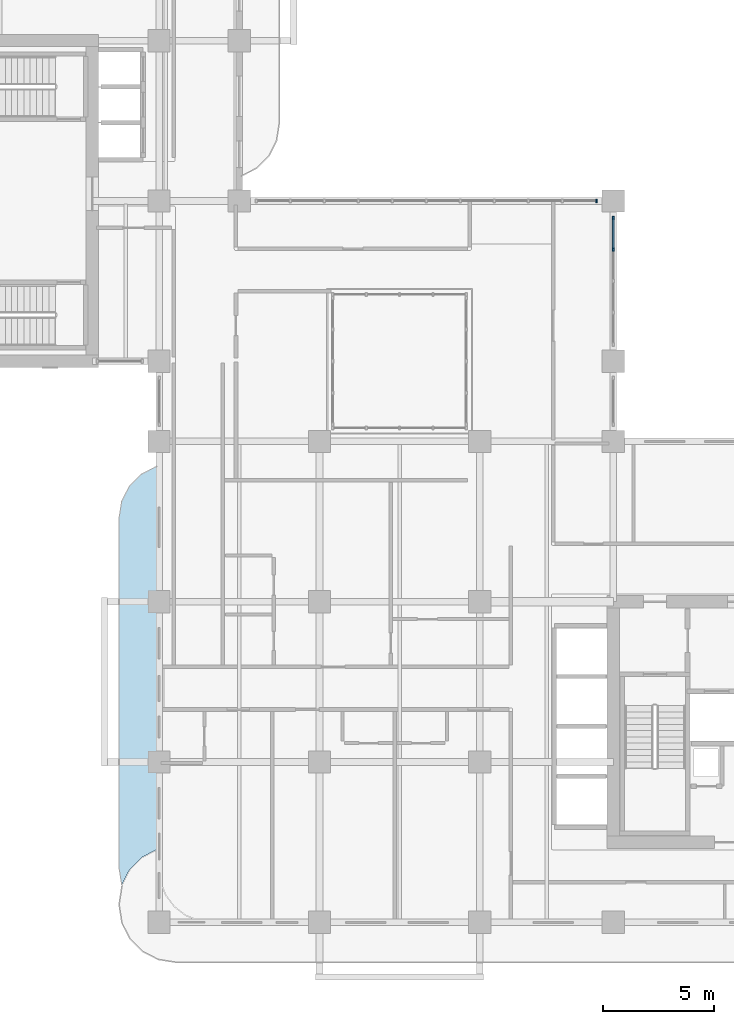
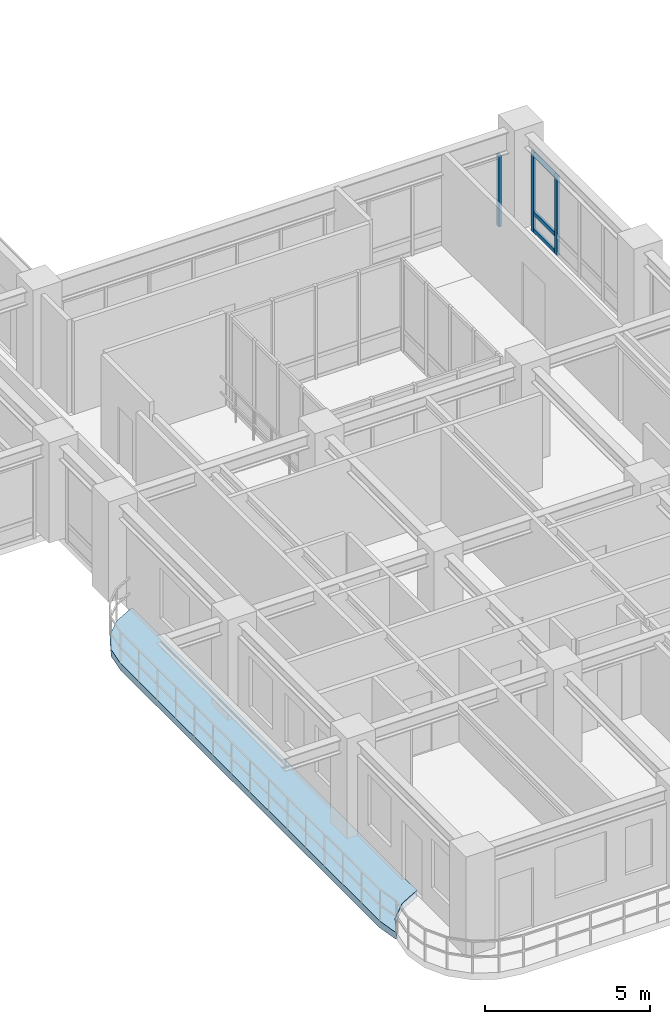
# One storey, part 7 of 19: 6 members, 1 slab, 2 elements without a shape of their own.
"""IFC4 building model written with IfcOpenShell, lengths in metres."""

from ifc_helpers import new_model, si_unit, derived_unit, direction, frame, origin, origin_2d, place, context, subcontext, project, spatial, polyline, rectangle, outline, extrude, source, transform, mapped, material, layer, layer_set, material_profile, profile_set, type_object, element, aggregate, save


model = new_model("IFC4")

# Units and contexts
model_context = context("Model", 3, precision=1e-05, world=origin(), true_north=direction((0.0, 1.0)))
body_context = subcontext(model_context, "Body", "Model", "MODEL_VIEW")
ifc_project = project(units=[si_unit("LENGTHUNIT", "METRE"), si_unit("AREAUNIT", "SQUARE_METRE"), si_unit("VOLUMEUNIT", "CUBIC_METRE"), si_unit("PLANEANGLEUNIT", "RADIAN"), si_unit("MASSUNIT", "GRAM", prefix="KILO"), si_unit("THERMODYNAMICTEMPERATUREUNIT", "KELVIN"), si_unit("POWERUNIT", "WATT"), derived_unit("THERMALTRANSMITTANCEUNIT", [(si_unit("POWERUNIT", "WATT"), 1), (si_unit("AREAUNIT", "SQUARE_METRE"), -1), (si_unit("THERMODYNAMICTEMPERATUREUNIT", "KELVIN"), -1)])], contexts=[model_context])

# Site, building, storey
site_placement = place(None, origin())
site = spatial("IfcSite", under=ifc_project, at=site_placement, CompositionType="ELEMENT")
building_placement = place(site_placement, origin())
building = spatial("IfcBuilding", under=site, at=building_placement, Name="Zahravan Archway Hotel and Residences", CompositionType="ELEMENT")
storey_placement = place(building_placement, frame((0.0, 0.0, 134.0)))
storey = spatial("IfcBuildingStorey", under=building, at=storey_placement, Name="L33", CompositionType="ELEMENT", Elevation=134.0)

# Curtain wall, members
ifc_material_1 = material(Name="Bronze-Anodized Unitised Aluminium & Low-E Glass", Category="aluminium")
ifc_layer_1 = layer(ifc_material_1, 0.179931640625, Name="Bronze-Anodized Unitised Aluminium & Low-E Glass", Category="aluminium")
ifc_layer_set_1 = layer_set([ifc_layer_1], Name="Bronze-Anodized Unitised Aluminium & Low-E Glass")
curtain_wall_type = type_object("IfcCurtainWallType", Name="CW-ATR-GLAZ", PredefinedType="NOTDEFINED", material=ifc_layer_set_1)
curtain_wall_1_placement = place(storey_placement, origin())
curtain_wall_1 = element("IfcCurtainWall", 1, at=curtain_wall_1_placement, inside=storey, type_object=curtain_wall_type, Name="L33 Curtain Wall CW-L33-HNG-E-2", PredefinedType="NOTDEFINED")
ifc_material_2 = material(Name="Bronze-Anodized Extruded Aluminium", Category="aluminium")
ifc_material_profile_1 = material_profile(ifc_material_2, rectangle(XDim=0.080078125, YDim=0.139892578125, at=origin_2d()), Name="TRN 80x140", Category="aluminium")
ifc_profile_set_1 = profile_set([ifc_material_profile_1], Name="Bronze-Anodized Extruded Aluminium")
member_type_1 = type_object("IfcMemberType", Name="CWM-TRN-140", PredefinedType="USERDEFINED", material=ifc_profile_set_1)
shared_shape_1 = source(origin(), body_context, "Body", "SweptSolid", [
    extrude(rectangle(XDim=0.080078125, YDim=0.139892578125, at=origin_2d()), origin(), (0.0, 0.0, 1.0), 1.340087890625),
])
member_1_placement = place(storey_placement, frame((34.800048828125, 30.260009765625, 0.070068359375), z_axis=(0.0, 1.0, 0.0), x_axis=(-1.0, 0.0, 0.0)))
member_1 = element("IfcMember", 2, at=member_1_placement, type_object=member_type_1, Name="CW-L33-HNG-E-2 Transom 3-1", ObjectType="TRANSOM", PredefinedType="USERDEFINED", context=body_context, shape_type="MappedRepresentation", body=[
    mapped(shared_shape_1, transform((0.0, 0.0, 0.0), scale=1.0)),
])
member_2_placement = place(storey_placement, frame((34.800048828125, 30.260009765625, 0.704345703125), z_axis=(0.0, 1.0, 0.0), x_axis=(-1.0, 0.0, 0.0)))
member_2 = element("IfcMember", 3, at=member_2_placement, type_object=member_type_1, Name="CW-L33-HNG-E-2 Transom 3-2", ObjectType="TRANSOM", PredefinedType="USERDEFINED", context=body_context, shape_type="MappedRepresentation", body=[
    mapped(shared_shape_1, transform((0.0, 0.0, 0.0), scale=1.0)),
])
member_3_placement = place(storey_placement, frame((34.800048828125, 30.260009765625, 2.864990234375), z_axis=(0.0, 1.0, 0.0), x_axis=(-1.0, 0.0, 0.0)))
member_3 = element("IfcMember", 4, at=member_3_placement, type_object=member_type_1, Name="CW-L33-HNG-E-2 Transom 3-3", ObjectType="TRANSOM", PredefinedType="USERDEFINED", context=body_context, shape_type="MappedRepresentation", body=[
    mapped(shared_shape_1, transform((0.0, 0.0, 0.0), scale=1.0)),
])

# Curtain wall, member
curtain_wall_2_placement = place(storey_placement, origin())
curtain_wall_2 = element("IfcCurtainWall", 5, at=curtain_wall_2_placement, inside=storey, type_object=curtain_wall_type, Name="L33 Curtain Wall CW-L33-HNG-N-1", PredefinedType="NOTDEFINED")
ifc_material_profile_2 = material_profile(ifc_material_2, rectangle(XDim=0.080078125, YDim=0.159912109375, at=origin_2d()), Name="MUL 80x160", Category="aluminium")
ifc_profile_set_2 = profile_set([ifc_material_profile_2], Name="Bronze-Anodized Extruded Aluminium")
member_type_2 = type_object("IfcMemberType", Name="CWM-MUL-160", PredefinedType="MULLION", material=ifc_profile_set_2)
shared_shape_2 = source(origin(), body_context, "Body", "SweptSolid", [
    extrude(rectangle(XDim=0.080078125, YDim=0.159912109375, at=origin_2d()), origin(), (0.0, 0.0, 1.0), 2.635009765625),
])
member_4_placement = place(storey_placement, frame((34.0400390625, 32.39990234375, 0.0), z_axis=(0.0, 0.0, 1.0), x_axis=(1.0, 0.0, 0.0)))
member_4 = element("IfcMember", 6, at=member_4_placement, type_object=member_type_2, Name="CW-L33-HNG-N-1 Mullion 10", PredefinedType="MULLION", context=body_context, shape_type="MappedRepresentation", body=[
    mapped(shared_shape_2, transform((0.0, 0.0, 0.0), scale=1.0)),
])
aggregate(curtain_wall_2, [member_4])

# Member
shared_shape_3 = source(origin(), body_context, "Body", "SweptSolid", [
    extrude(rectangle(XDim=0.080078125, YDim=0.159912109375, at=origin_2d()), origin(), (0.0, 0.0, 1.0), 2.93505859375),
])
member_5_placement = place(storey_placement, frame((34.800048828125, 30.219970703125, 0.0), z_axis=(0.0, 0.0, 1.0), x_axis=(1.0, 0.0, 0.0)))
member_5 = element("IfcMember", 7, at=member_5_placement, type_object=member_type_2, Name="CW-L33-HNG-E-2 Mullion 3", PredefinedType="MULLION", context=body_context, shape_type="MappedRepresentation", body=[
    mapped(shared_shape_3, transform((0.0, 0.0, 0.0), scale=1.0)),
])

member_6_placement = place(storey_placement, frame((34.800048828125, 31.639892578125, 0.0), z_axis=(0.0, 0.0, 1.0), x_axis=(1.0, 0.0, 0.0)))
member_6 = element("IfcMember", 8, at=member_6_placement, type_object=member_type_2, Name="CW-L33-HNG-E-2 Mullion 4", PredefinedType="MULLION", context=body_context, shape_type="MappedRepresentation", body=[
    mapped(shared_shape_3, transform((0.0, 0.0, 0.0), scale=1.0)),
])

aggregate(curtain_wall_1, [member_5, member_6, member_1, member_2, member_3])

# Slab
ifc_material_3 = material(Name="Concrete C45/55", Category="concrete")
ifc_layer_2 = layer(ifc_material_3, 0.25, Name="Concrete C45/55", Category="concrete")
ifc_layer_set_2 = layer_set([ifc_layer_2], Name="Concrete C45/55")
slab_type = type_object("IfcSlabType", Name="SLB-BALC-250", PredefinedType="FLOOR", material=ifc_layer_set_2)
slab_placement = place(storey_placement, frame((0.0, 0.0, -0.25)))
element("IfcSlab", 9, at=slab_placement, inside=storey, type_object=slab_type, Name="L33 Wing A West Rounded Balcony Band", PredefinedType="FLOOR", context=body_context, shape_type="SweptSolid", body=[
    extrude(outline(polyline([(12.719970703125, 1.69287109375), (12.60009765625, 2.449951171875), (12.60009765625, 18.14990234375), (12.719970703125, 18.906982421875), (13.06787109375, 19.590087890625), (13.60986328125, 20.132080078125), (14.29296875, 20.47998046875), (14.3798828125, 20.493896484375), (14.3798828125, 3.298095703125), (14.37890625, 3.298095703125), (14.376953125, 3.2978515625), (14.35888671875, 3.294921875), (14.356689453125, 3.29443359375), (14.354736328125, 3.2939453125), (14.352783203125, 3.29296875), (13.64208984375, 2.930908203125), (13.64013671875, 2.9296875), (13.638427734375, 2.928466796875), (13.636962890625, 2.927001953125), (13.072998046875, 2.363037109375), (13.071533203125, 2.361572265625), (13.0703125, 2.35986328125), (13.069091796875, 2.35791015625), (12.72509765625, 1.6826171875), (12.719970703125, 1.69287109375)])), origin(), (0.0, 0.0, 1.0), 0.25),
])

save(model, "model.ifc")
